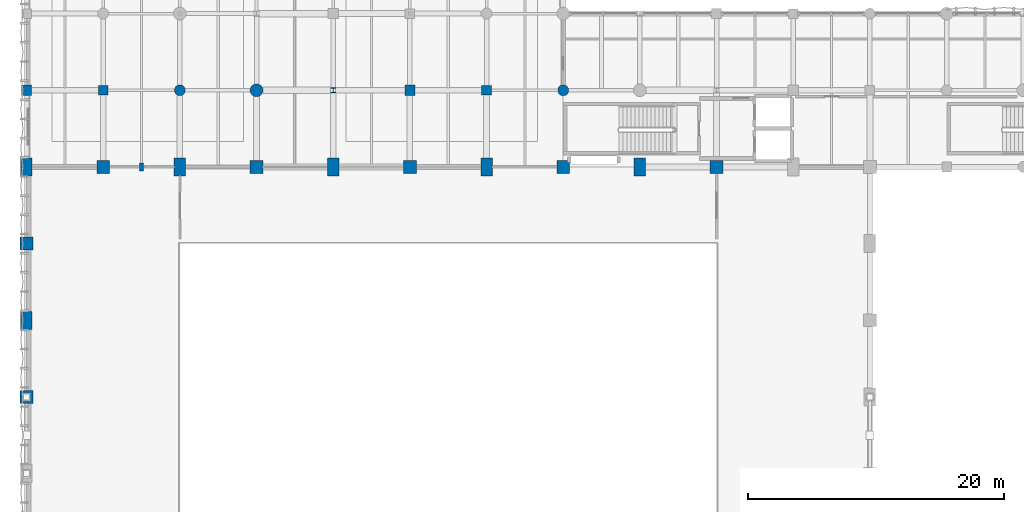
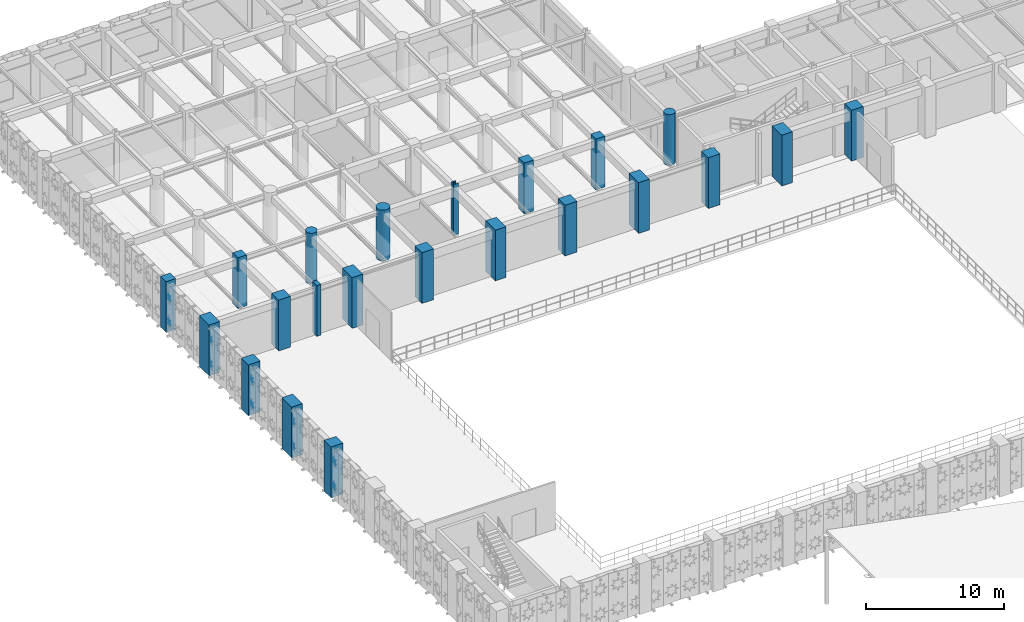
# One storey, part 7 of 133: 22 columns.
"""IFC4 building model written with IfcOpenShell, lengths in metres."""

from ifc_helpers import new_model, si_unit, direction, frame, origin, origin_2d, place, context, subcontext, project, spatial, rectangle, circle, i_section, extrude, material, material_profile, profile_set, type_object, element, save


model = new_model("IFC4")

# Units and contexts
model_context = context("Model", 3, precision=1e-05, world=origin(), true_north=direction((0.0, 1.0)))
body_context = subcontext(model_context, "Body", "Model", "MODEL_VIEW")
ifc_project = project(units=[si_unit("LENGTHUNIT", "METRE"), si_unit("AREAUNIT", "SQUARE_METRE"), si_unit("VOLUMEUNIT", "CUBIC_METRE"), si_unit("PLANEANGLEUNIT", "RADIAN"), si_unit("MASSUNIT", "GRAM", prefix="KILO"), si_unit("THERMODYNAMICTEMPERATUREUNIT", "KELVIN"), si_unit("POWERUNIT", "WATT")], contexts=[model_context])

# Site, building, storey
site_placement = place(None, origin())
site = spatial("IfcSite", under=ifc_project, at=site_placement, CompositionType="ELEMENT")
building_placement = place(site_placement, origin())
building = spatial("IfcBuilding", under=site, at=building_placement, Name="Phaisarnlok Congress Hotel", CompositionType="ELEMENT")
storey_placement = place(building_placement, frame((0.0, 0.0, 6.0)))
storey = spatial("IfcBuildingStorey", under=building, at=storey_placement, Name="L01", CompositionType="ELEMENT", Elevation=6.0)

# Columns
ifc_material_1 = material(Name="Concrete C50/60", Category="concrete")
ifc_material_profile_1 = material_profile(ifc_material_1, rectangle(XDim=1.0, YDim=1.0, at=origin_2d()), Name="RC 1000x1000")
ifc_profile_set_1 = profile_set([ifc_material_profile_1], Name="Concrete C50/60")
column_type_1 = type_object("IfcColumnType", Name="COL-RC-1000", PredefinedType="COLUMN", material=ifc_profile_set_1)
for number, where, z_axis, x_axis, name in (
    (1, (6.0, 84.0, 0.0), (0.0, 0.0, 1.0), (1.0, 0.0, 0.0), "Column C-09 (L01)"),
    (2, (18.0, 84.0, 0.0), (0.0, 0.0, 1.0), (1.0, 0.0, 0.0), "Column C-09 (L01)"),
    (3, (30.0, 84.0, 0.0), (0.0, 0.0, 1.0), (1.0, 0.0, 0.0), "Column C-09 (L01)"),
    (4, (42.0, 84.0, 0.0), (0.0, 0.0, 1.0), (1.0, 0.0, 0.0), "Column C-09 (L01)"),
    (5, (54.0, 84.0, 0.0), (0.0, 0.0, 1.0), (1.0, 0.0, 0.0), "Column C-09 (L01)"),
):
    element("IfcColumn", number, at=place(storey_placement, frame(where, z_axis=z_axis, x_axis=x_axis)), inside=storey, type_object=column_type_1, Name=name, PredefinedType="COLUMN", context=body_context, shape_type="SweptSolid", body=[
        extrude(rectangle(XDim=1.0, YDim=1.0, at=origin_2d()), origin(), (0.0, 0.0, 1.0), 4.5),
    ])
ifc_material_profile_2 = material_profile(ifc_material_1, rectangle(XDim=1.0, YDim=1.0, at=origin_2d()), Name="RC 1000x1000")
ifc_profile_set_2 = profile_set([ifc_material_profile_2], Name="Concrete C50/60")
column_type_2 = type_object("IfcColumnType", Name="COL-RC-1000-EXT", PredefinedType="COLUMN", material=ifc_profile_set_2)
for number, where, z_axis, x_axis, name in (
    (6, (0.0, 66.0, 0.0), (0.0, 0.0, 1.0), (1.0, 0.0, 0.0), "Column C-09E (L01)"),
    (7, (0.0, 78.0, 0.0), (0.0, 0.0, 1.0), (1.0, 0.0, 0.0), "Column C-09E (L01)"),
):
    element("IfcColumn", number, at=place(storey_placement, frame(where, z_axis=z_axis, x_axis=x_axis)), inside=storey, type_object=column_type_2, Name=name, PredefinedType="COLUMN", context=body_context, shape_type="SweptSolid", body=[
        extrude(rectangle(XDim=1.0, YDim=1.0, at=origin_2d()), origin(), (0.0, 0.0, 1.0), 4.5),
    ])
ifc_material_profile_3 = material_profile(ifc_material_1, rectangle(XDim=0.75, YDim=0.75, at=origin_2d()), Name="RC 750x750")
ifc_profile_set_3 = profile_set([ifc_material_profile_3], Name="Concrete C50/60")
column_type_3 = type_object("IfcColumnType", Name="COL-RC-750", PredefinedType="COLUMN", material=ifc_profile_set_3)
for number, where, z_axis, x_axis, name in (
    (8, (6.0, 90.0, 0.0), (0.0, 0.0, 1.0), (1.0, 0.0, 0.0), "Column C-06 (L01)"),
    (9, (36.0, 90.0, 0.0), (0.0, 0.0, 1.0), (1.0, 0.0, 0.0), "Column C-06 (L01)"),
):
    element("IfcColumn", number, at=place(storey_placement, frame(where, z_axis=z_axis, x_axis=x_axis)), inside=storey, type_object=column_type_3, Name=name, PredefinedType="COLUMN", context=body_context, shape_type="SweptSolid", body=[
        extrude(rectangle(XDim=0.75, YDim=0.75, at=origin_2d()), origin(), (0.0, 0.0, 1.0), 4.5),
    ])
ifc_material_profile_4 = material_profile(ifc_material_1, rectangle(XDim=0.800048828125, YDim=0.800048828125, at=origin_2d()), Name="RC 800x800")
ifc_profile_set_4 = profile_set([ifc_material_profile_4], Name="Concrete C50/60")
column_type_4 = type_object("IfcColumnType", Name="COL-RC-800", PredefinedType="COLUMN", material=ifc_profile_set_4)
column_1_placement = place(storey_placement, frame((30.0, 90.0, 0.0), z_axis=(0.0, 0.0, 1.0), x_axis=(1.0, 0.0, 0.0)))
element("IfcColumn", 10, at=column_1_placement, inside=storey, type_object=column_type_4, Name="Column C-07 (L01)", PredefinedType="COLUMN", context=body_context, shape_type="SweptSolid", body=[
    extrude(rectangle(XDim=0.800048828125, YDim=0.800048828125, at=origin_2d()), origin(), (0.0, 0.0, 1.0), 4.5),
])
ifc_material_profile_5 = material_profile(ifc_material_1, rectangle(XDim=0.800048828125, YDim=0.800048828125, at=origin_2d()), Name="RC 800x800")
ifc_profile_set_5 = profile_set([ifc_material_profile_5], Name="Concrete C50/60")
column_type_5 = type_object("IfcColumnType", Name="COL-RC-800-EXT", PredefinedType="COLUMN", material=ifc_profile_set_5)
column_2_placement = place(storey_placement, frame((0.0, 90.0, 0.0), z_axis=(0.0, 0.0, 1.0), x_axis=(1.0, 0.0, 0.0)))
element("IfcColumn", 11, at=column_2_placement, inside=storey, type_object=column_type_5, Name="Column C-07E (L01)", PredefinedType="COLUMN", context=body_context, shape_type="SweptSolid", body=[
    extrude(rectangle(XDim=0.800048828125, YDim=0.800048828125, at=origin_2d()), origin(), (0.0, 0.0, 1.0), 4.5),
])
ifc_material_profile_6 = material_profile(ifc_material_1, rectangle(XDim=0.89990234375, YDim=1.39990234375, at=origin_2d()), Name="RC 900x1400")
ifc_profile_set_6 = profile_set([ifc_material_profile_6], Name="Concrete C50/60")
column_type_6 = type_object("IfcColumnType", Name="COL-RC-900x1400", PredefinedType="COLUMN", material=ifc_profile_set_6)
for number, where, z_axis, x_axis, name in (
    (12, (12.0, 84.0, 0.0), (0.0, 0.0, 1.0), (1.0, 0.0, 0.0), "Column C-12 (L01)"),
    (13, (24.0, 84.0, 0.0), (0.0, 0.0, 1.0), (1.0, 0.0, 0.0), "Column C-12 (L01)"),
    (14, (36.0, 84.0, 0.0), (0.0, 0.0, 1.0), (1.0, 0.0, 0.0), "Column C-12 (L01)"),
    (15, (48.0, 84.0, 0.0), (0.0, 0.0, 1.0), (1.0, 0.0, 0.0), "Column C-12 (L01)"),
):
    element("IfcColumn", number, at=place(storey_placement, frame(where, z_axis=z_axis, x_axis=x_axis)), inside=storey, type_object=column_type_6, Name=name, PredefinedType="COLUMN", context=body_context, shape_type="SweptSolid", body=[
        extrude(rectangle(XDim=0.89990234375, YDim=1.39990234375, at=origin_2d()), origin(), (0.0, 0.0, 1.0), 4.5),
    ])
ifc_material_profile_7 = material_profile(ifc_material_1, rectangle(XDim=0.89990234375, YDim=1.39990234375, at=origin_2d()), Name="RC 900x1400")
ifc_profile_set_7 = profile_set([ifc_material_profile_7], Name="Concrete C50/60")
column_type_7 = type_object("IfcColumnType", Name="COL-RC-900x1400-EXT", PredefinedType="COLUMN", material=ifc_profile_set_7)
for number, where, z_axis, x_axis, name in (
    (16, (0.0, 72.0, 0.0), (0.0, 0.0, 1.0), (1.0, 0.0, 0.0), "Column C-12E (L01)"),
    (17, (0.0, 84.0, 0.0), (0.0, 0.0, 1.0), (1.0, 0.0, 0.0), "Column C-12E (L01)"),
):
    element("IfcColumn", number, at=place(storey_placement, frame(where, z_axis=z_axis, x_axis=x_axis)), inside=storey, type_object=column_type_7, Name=name, PredefinedType="COLUMN", context=body_context, shape_type="SweptSolid", body=[
        extrude(rectangle(XDim=0.89990234375, YDim=1.39990234375, at=origin_2d()), origin(), (0.0, 0.0, 1.0), 4.5),
    ])
ifc_material_profile_8 = material_profile(ifc_material_1, circle(Radius=0.5, at=origin_2d()), Name="RCC D1000")
ifc_profile_set_8 = profile_set([ifc_material_profile_8], Name="Concrete C50/60")
column_type_8 = type_object("IfcColumnType", Name="COL-RCC-1000", PredefinedType="COLUMN", material=ifc_profile_set_8)
column_3_placement = place(storey_placement, frame((18.0, 90.0, 0.0), z_axis=(0.0, 0.0, 1.0), x_axis=(1.0, 0.0, 0.0)))
element("IfcColumn", 18, at=column_3_placement, inside=storey, type_object=column_type_8, Name="Column C-15 (L01)", PredefinedType="COLUMN", context=body_context, shape_type="SweptSolid", body=[
    extrude(circle(Radius=0.5, at=origin_2d()), origin(), (0.0, 0.0, 1.0), 4.5),
])
ifc_material_profile_9 = material_profile(ifc_material_1, circle(Radius=0.425048828125, at=origin_2d()), Name="RCC D850")
ifc_profile_set_9 = profile_set([ifc_material_profile_9], Name="Concrete C50/60")
column_type_9 = type_object("IfcColumnType", Name="COL-RCC-850", PredefinedType="COLUMN", material=ifc_profile_set_9)
for number, where, z_axis, x_axis, name in (
    (19, (12.0, 90.0, 0.0), (0.0, 0.0, 1.0), (1.0, 0.0, 0.0), "Column C-14 (L01)"),
    (20, (42.0, 90.0, 0.0), (0.0, 0.0, 1.0), (1.0, 0.0, 0.0), "Column C-14 (L01)"),
):
    element("IfcColumn", number, at=place(storey_placement, frame(where, z_axis=z_axis, x_axis=x_axis)), inside=storey, type_object=column_type_9, Name=name, PredefinedType="COLUMN", context=body_context, shape_type="SweptSolid", body=[
        extrude(circle(Radius=0.425048828125, at=origin_2d()), origin(), (0.0, 0.0, 1.0), 4.5),
    ])
ifc_material_2 = material(Name="Steel S355", Category="steel")
ifc_material_profile_10 = material_profile(ifc_material_2, i_section(OverallWidth=0.40087890625, OverallDepth=0.39892578125, WebThickness=0.0185546875, FlangeThickness=0.030029296875, FilletRadius=0.014892578125, at=origin_2d()), Name="HD 400x314")
ifc_profile_set_10 = profile_set([ifc_material_profile_10], Name="Steel S355")
column_type_10 = type_object("IfcColumnType", Name="COL-STL-HD314", PredefinedType="COLUMN", material=ifc_profile_set_10)
column_4_placement = place(storey_placement, frame((24.0, 90.0, 0.0), z_axis=(0.0, 0.0, 1.0), x_axis=(1.0, 0.0, 0.0)))
element("IfcColumn", 21, at=column_4_placement, inside=storey, type_object=column_type_10, Name="Column SC-04 (L01)", PredefinedType="COLUMN", context=body_context, shape_type="SweptSolid", body=[
    extrude(i_section(OverallWidth=0.40087890625, OverallDepth=0.39892578125, WebThickness=0.0185546875, FlangeThickness=0.030029296875, FilletRadius=0.014892578125, at=origin_2d()), origin(), (0.0, 0.0, 1.0), 4.5),
])
ifc_material_3 = material(Name="Concrete C40/50", Category="concrete")
ifc_material_profile_11 = material_profile(ifc_material_3, rectangle(XDim=0.35009765625, YDim=0.60009765625, at=origin_2d()), Name="RC 350x600")
ifc_profile_set_11 = profile_set([ifc_material_profile_11], Name="Concrete C40/50")
column_type_11 = type_object("IfcColumnType", Name="PIL-RC-350x600", PredefinedType="PILASTER", material=ifc_profile_set_11)
column_5_placement = place(storey_placement, frame((9.0, 84.0, 0.0), z_axis=(0.0, 0.0, 1.0), x_axis=(1.0, 0.0, 0.0)))
element("IfcColumn", 22, at=column_5_placement, inside=storey, type_object=column_type_11, Name="Acoustic wall pilaster PL-C1", PredefinedType="PILASTER", context=body_context, shape_type="SweptSolid", body=[
    extrude(rectangle(XDim=0.35009765625, YDim=0.60009765625, at=origin_2d()), origin(), (0.0, 0.0, 1.0), 4.5),
])

save(model, "model.ifc")
